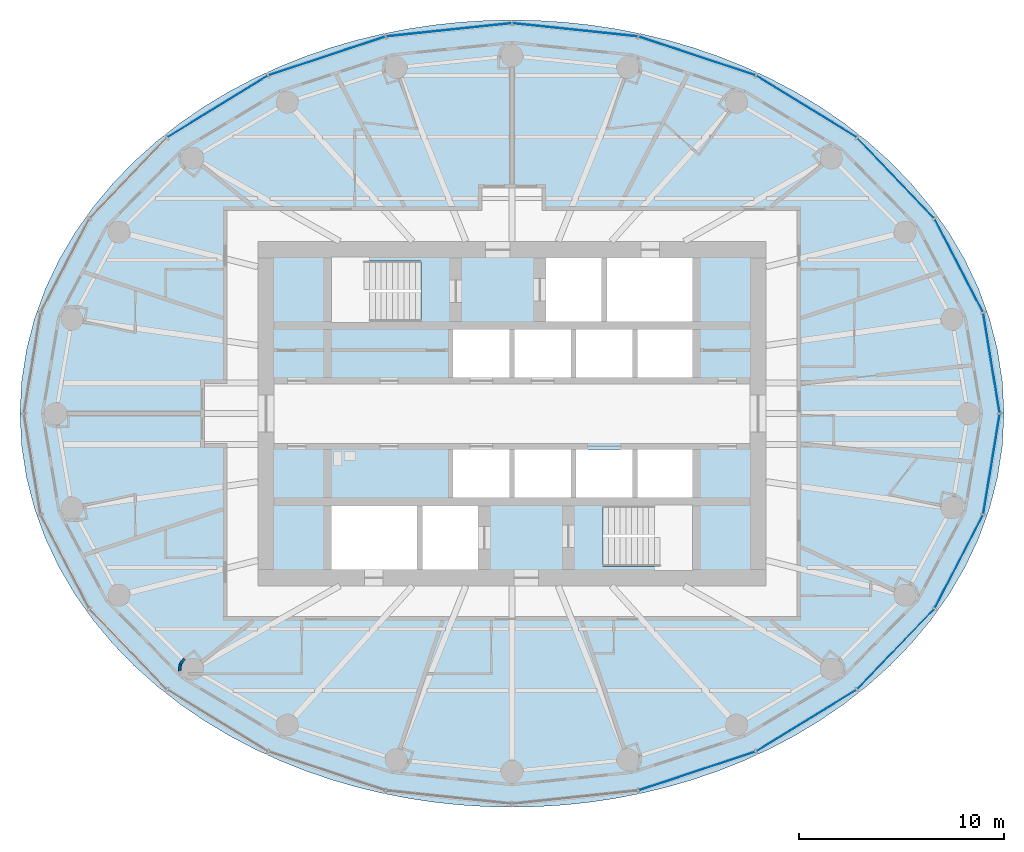
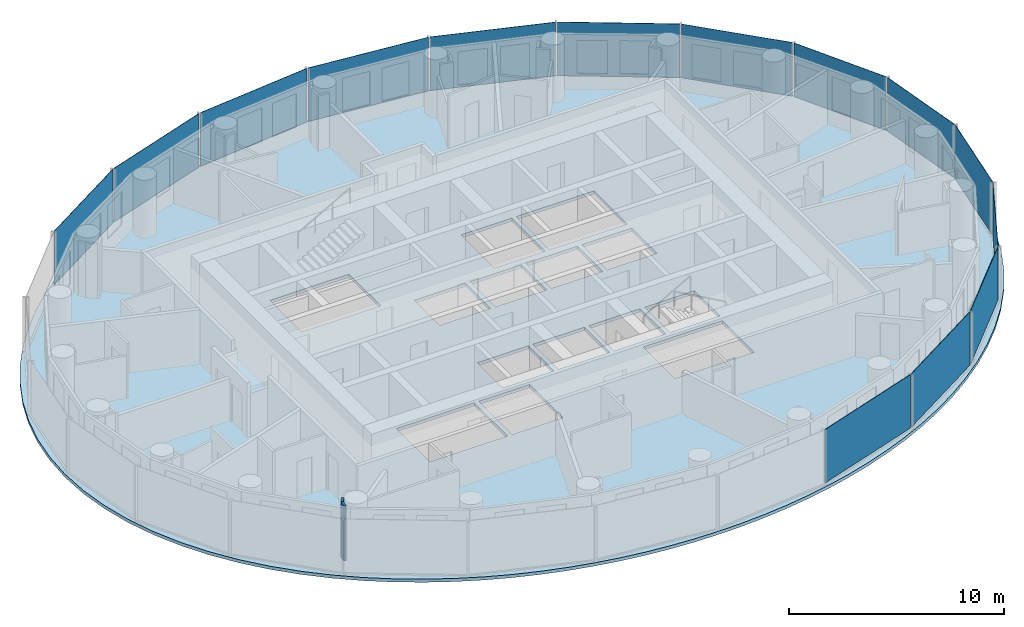
# One storey, part 5 of 16: 14 plates, 2 walls, 1 slab, 3 elements without a shape of their own.
"""IFC4 building model written with IfcOpenShell, lengths in metres."""

from ifc_helpers import new_model, si_unit, direction, frame, frame_2d, origin, origin_2d, place, context, subcontext, project, spatial, polyline, rectangle, outline, extrude, material, layer, layer_set, type_object, element, aggregate, save


model = new_model("IFC4")

# Units and contexts
model_context = context("Model", 3, precision=1e-05, world=origin(), true_north=direction((0.0, 1.0)))
body_context = subcontext(model_context, "Body", "Model", "MODEL_VIEW")
ifc_project = project(units=[si_unit("LENGTHUNIT", "METRE"), si_unit("AREAUNIT", "SQUARE_METRE"), si_unit("VOLUMEUNIT", "CUBIC_METRE"), si_unit("PLANEANGLEUNIT", "RADIAN"), si_unit("MASSUNIT", "GRAM", prefix="KILO")], contexts=[model_context])

# Site, building, storey
site_placement = place(None, origin())
site = spatial("IfcSite", under=ifc_project, at=site_placement, CompositionType="ELEMENT")
building_placement = place(site_placement, origin())
building = spatial("IfcBuilding", under=site, at=building_placement, Name="Hankou Lantern Tower", CompositionType="ELEMENT")
storey_placement = place(building_placement, frame((0.0, 0.0, 173.10009765625)))
storey = spatial("IfcBuildingStorey", under=building, at=storey_placement, Name="L46", CompositionType="ELEMENT", Elevation=173.10009765625)

# Curtain wall, plates
ifc_material_1 = material(Name="Glass, dark grey tinted laminated", Category="glass")
curtain_wall_type = type_object("IfcCurtainWallType", Name="CWC OUTER SKIN HIGH-RISE", PredefinedType="USERDEFINED", material=ifc_material_1)
curtain_wall_1_placement = place(storey_placement, origin())
curtain_wall_1 = element("IfcCurtainWall", 1, at=curtain_wall_1_placement, inside=storey, type_object=curtain_wall_type, Name="CWC L46 OS1", ObjectType="OUTER SKIN HIGH-RISE", PredefinedType="USERDEFINED")
ifc_material_2 = material(Name="Glass, dark grey tinted laminated", Category="glass")
ifc_layer_1 = layer(ifc_material_2, 0.02392578125)
ifc_layer_set_1 = layer_set([ifc_layer_1], Name="Glass, dark grey tinted laminated")
plate_type = type_object("IfcPlateType", Name="PN1 OUTER SKIN GLASS PANEL", PredefinedType="CURTAIN_PANEL", material=ifc_layer_set_1)
plate_1_placement = place(storey_placement, frame((23.39453125, 2.4638671875, 0.079833984375), z_axis=(0.0, 0.0, 1.0), x_axis=(-0.162381515188, 0.986728049427, 0.0)))
plate_1 = element("IfcPlate", 2, at=plate_1_placement, type_object=plate_type, Name="CWC glass panel 1", PredefinedType="CURTAIN_PANEL", context=body_context, shape_type="SweptSolid", body=[
    extrude(rectangle(XDim=4.914306640625, YDim=0.02392578125, at=origin_2d()), origin(), (0.0, 0.0, 1.0), 3.0400390625),
])
plate_2_placement = place(storey_placement, frame((21.80029296875, 7.223876953125, 0.079833984375), z_axis=(0.0, 0.0, 1.0), x_axis=(-0.459791091957, 0.888027112062, 0.0)))
plate_2 = element("IfcPlate", 3, at=plate_2_placement, type_object=plate_type, Name="CWC glass panel 2", PredefinedType="CURTAIN_PANEL", context=body_context, shape_type="SweptSolid", body=[
    extrude(rectangle(XDim=5.091064453125, YDim=0.02392578125, at=origin_2d()), origin(), (0.0, 0.0, 1.0), 3.0400390625),
])
plate_3_placement = place(storey_placement, frame((18.72021484375, 11.49169921875, 0.079833984375), z_axis=(0.0, 0.0, 1.0), x_axis=(-0.692215809936, 0.721690565599, 0.0)))
plate_3 = element("IfcPlate", 4, at=plate_3_placement, type_object=plate_type, Name="CWC glass panel 3", PredefinedType="CURTAIN_PANEL", context=body_context, shape_type="SweptSolid", body=[
    extrude(rectangle(XDim=5.384033203125, YDim=0.02392578125, at=origin_2d()), origin(), (0.0, 0.0, 1.0), 3.0400390625),
])
plate_4_placement = place(storey_placement, frame((14.364501953125, 14.976318359375, 0.079833984375), z_axis=(0.0, 0.0, 1.0), x_axis=(-0.852237151549, 0.523155653242, 0.0)))
plate_4 = element("IfcPlate", 5, at=plate_4_placement, type_object=plate_type, Name="CWC glass panel 4", PredefinedType="CURTAIN_PANEL", context=body_context, shape_type="SweptSolid", body=[
    extrude(rectangle(XDim=5.703857421875, YDim=0.02392578125, at=origin_2d()), origin(), (0.0, 0.0, 1.0), 3.0400390625),
])
plate_5_placement = place(storey_placement, frame((9.030029296875, 17.440185546875, 0.079833984375), z_axis=(0.0, 0.0, 1.0), x_axis=(-0.949240677293, 0.31455068999, 0.0)))
plate_5 = element("IfcPlate", 6, at=plate_5_placement, type_object=plate_type, Name="CWC glass panel 5", PredefinedType="CURTAIN_PANEL", context=body_context, shape_type="SweptSolid", body=[
    extrude(rectangle(XDim=5.967041015625, YDim=0.02392578125, at=origin_2d()), origin(), (0.0, 0.0, 1.0), 3.0400390625),
])
plate_6_placement = place(storey_placement, frame((3.079833984375, 18.715576171875, 0.079833984375), z_axis=(0.0, 0.0, 1.0), x_axis=(-0.994499359107, 0.104742659579, 0.0)))
plate_6 = element("IfcPlate", 7, at=plate_6_placement, type_object=plate_type, Name="CWC glass panel 6", PredefinedType="CURTAIN_PANEL", context=body_context, shape_type="SweptSolid", body=[
    extrude(rectangle(XDim=6.114013671875, YDim=0.02392578125, at=origin_2d()), origin(), (0.0, 0.0, 1.0), 3.0400390625),
])
aggregate(curtain_wall_1, [plate_1, plate_2, plate_3, plate_4, plate_5, plate_6])

curtain_wall_2_placement = place(storey_placement, origin())
curtain_wall_2 = element("IfcCurtainWall", 8, at=curtain_wall_2_placement, inside=storey, type_object=curtain_wall_type, Name="CWC L46 OS2", ObjectType="OUTER SKIN HIGH-RISE", PredefinedType="USERDEFINED")
plate_7_placement = place(storey_placement, frame((-3.079833984375, 18.715576171875, 0.079833984375), z_axis=(0.0, 0.0, 1.0), x_axis=(-0.994499359107, -0.104742659579, 0.0)))
plate_7 = element("IfcPlate", 9, at=plate_7_placement, type_object=plate_type, Name="CWC glass panel 1", PredefinedType="CURTAIN_PANEL", context=body_context, shape_type="SweptSolid", body=[
    extrude(rectangle(XDim=6.114013671875, YDim=0.02392578125, at=origin_2d()), origin(), (0.0, 0.0, 1.0), 3.0400390625),
])
plate_8_placement = place(storey_placement, frame((-9.030029296875, 17.440185546875, 0.079833984375), z_axis=(0.0, 0.0, 1.0), x_axis=(-0.949240677293, -0.31455068999, 0.0)))
plate_8 = element("IfcPlate", 10, at=plate_8_placement, type_object=plate_type, Name="CWC glass panel 2", PredefinedType="CURTAIN_PANEL", context=body_context, shape_type="SweptSolid", body=[
    extrude(rectangle(XDim=5.967041015625, YDim=0.02392578125, at=origin_2d()), origin(), (0.0, 0.0, 1.0), 3.0400390625),
])
plate_9_placement = place(storey_placement, frame((-14.364501953125, 14.976318359375, 0.079833984375), z_axis=(0.0, 0.0, 1.0), x_axis=(-0.852237151549, -0.523155653242, 0.0)))
plate_9 = element("IfcPlate", 11, at=plate_9_placement, type_object=plate_type, Name="CWC glass panel 3", PredefinedType="CURTAIN_PANEL", context=body_context, shape_type="SweptSolid", body=[
    extrude(rectangle(XDim=5.703857421875, YDim=0.02392578125, at=origin_2d()), origin(), (0.0, 0.0, 1.0), 3.0400390625),
])
aggregate(curtain_wall_2, [plate_7, plate_8, plate_9])

curtain_wall_3_placement = place(storey_placement, origin())
curtain_wall_3 = element("IfcCurtainWall", 12, at=curtain_wall_3_placement, inside=storey, type_object=curtain_wall_type, Name="CWC L46 OS4", ObjectType="OUTER SKIN HIGH-RISE", PredefinedType="USERDEFINED")
plate_10_placement = place(storey_placement, frame((9.030029296875, -17.440185546875, 0.079833984375), z_axis=(0.0, 0.0, 1.0), x_axis=(0.949240677293, 0.31455068999, 0.0)))
plate_10 = element("IfcPlate", 13, at=plate_10_placement, type_object=plate_type, Name="CWC glass panel 2", PredefinedType="CURTAIN_PANEL", context=body_context, shape_type="SweptSolid", body=[
    extrude(rectangle(XDim=5.967041015625, YDim=0.02392578125, at=origin_2d()), origin(), (0.0, 0.0, 1.0), 3.0400390625),
])
plate_11_placement = place(storey_placement, frame((14.364501953125, -14.976318359375, 0.079833984375), z_axis=(0.0, 0.0, 1.0), x_axis=(0.852237151549, 0.523155653242, 0.0)))
plate_11 = element("IfcPlate", 14, at=plate_11_placement, type_object=plate_type, Name="CWC glass panel 3", PredefinedType="CURTAIN_PANEL", context=body_context, shape_type="SweptSolid", body=[
    extrude(rectangle(XDim=5.703857421875, YDim=0.02392578125, at=origin_2d()), origin(), (0.0, 0.0, 1.0), 3.0400390625),
])
plate_12_placement = place(storey_placement, frame((18.72021484375, -11.49169921875, 0.079833984375), z_axis=(0.0, 0.0, 1.0), x_axis=(0.692215809936, 0.721690565599, 0.0)))
plate_12 = element("IfcPlate", 15, at=plate_12_placement, type_object=plate_type, Name="CWC glass panel 4", PredefinedType="CURTAIN_PANEL", context=body_context, shape_type="SweptSolid", body=[
    extrude(rectangle(XDim=5.384033203125, YDim=0.02392578125, at=origin_2d()), origin(), (0.0, 0.0, 1.0), 3.0400390625),
])
plate_13_placement = place(storey_placement, frame((21.80029296875, -7.223876953125, 0.079833984375), z_axis=(0.0, 0.0, 1.0), x_axis=(0.459791091957, 0.888027112062, 0.0)))
plate_13 = element("IfcPlate", 16, at=plate_13_placement, type_object=plate_type, Name="CWC glass panel 5", PredefinedType="CURTAIN_PANEL", context=body_context, shape_type="SweptSolid", body=[
    extrude(rectangle(XDim=5.091064453125, YDim=0.02392578125, at=origin_2d()), origin(), (0.0, 0.0, 1.0), 3.0400390625),
])
plate_14_placement = place(storey_placement, frame((23.39453125, -2.4638671875, 0.079833984375), z_axis=(0.0, 0.0, 1.0), x_axis=(0.162381515188, 0.986728049427, 0.0)))
plate_14 = element("IfcPlate", 17, at=plate_14_placement, type_object=plate_type, Name="CWC glass panel 6", PredefinedType="CURTAIN_PANEL", context=body_context, shape_type="SweptSolid", body=[
    extrude(rectangle(XDim=4.914306640625, YDim=0.02392578125, at=origin_2d()), origin(), (0.0, 0.0, 1.0), 3.0400390625),
])
aggregate(curtain_wall_3, [plate_10, plate_11, plate_12, plate_13, plate_14])

# Slab
ifc_material_3 = material(Name="Concrete C50", Category="concrete")
ifc_layer_2 = layer(ifc_material_3, 0.179931640625)
ifc_layer_set_2 = layer_set([ifc_layer_2], Name="Concrete C50")
slab_type = type_object("IfcSlabType", Name="S1 CONCRETE FLOOR SLAB 180", PredefinedType="FLOOR", material=ifc_layer_set_2)
slab_placement = place(storey_placement, frame((0.0, 0.0, -0.18017578125)))
element("IfcSlab", 18, at=slab_placement, inside=storey, type_object=slab_type, Name="Floor slab L46", PredefinedType="FLOOR", context=body_context, shape_type="SweptSolid", body=[
    extrude(outline(polyline([(24.0, 0.0), (23.919921875, 1.56787109375), (23.681396484375, 3.11767578125), (23.290771484375, 4.6328125), (22.75732421875, 6.097900390625), (22.09326171875, 7.499755859375), (21.312744140625, 8.827880859375), (20.43017578125, 10.0751953125), (19.461181640625, 11.23583984375), (18.420166015625, 12.307861328125), (17.320556640625, 13.29052734375), (16.174560546875, 14.184814453125), (14.99267578125, 14.99267578125), (13.783935546875, 15.717529296875), (12.5556640625, 16.363037109375), (11.31396484375, 16.9326171875), (10.0634765625, 17.4306640625), (8.8076171875, 17.8603515625), (7.54931640625, 18.225341796875), (6.289794921875, 18.52880859375), (5.0302734375, 18.7734375), (3.771728515625, 18.96142578125), (2.513916015625, 19.094482421875), (1.256591796875, 19.173583984375), (0.0, 19.199951171875), (-1.256591796875, 19.173583984375), (-2.513916015625, 19.094482421875), (-3.771728515625, 18.96142578125), (-5.0302734375, 18.7734375), (-6.289794921875, 18.52880859375), (-7.54931640625, 18.225341796875), (-8.8076171875, 17.8603515625), (-10.0634765625, 17.4306640625), (-11.31396484375, 16.9326171875), (-12.5556640625, 16.363037109375), (-13.783935546875, 15.717529296875), (-14.99267578125, 14.99267578125), (-16.174560546875, 14.184814453125), (-17.320556640625, 13.29052734375), (-18.420166015625, 12.307861328125), (-19.461181640625, 11.23583984375), (-20.43017578125, 10.0751953125), (-21.312744140625, 8.827880859375), (-22.09326171875, 7.499755859375), (-22.75732421875, 6.097900390625), (-23.290771484375, 4.6328125), (-23.681396484375, 3.11767578125), (-23.919921875, 1.56787109375), (-24.0, 0.0), (-23.919921875, -1.56787109375), (-23.681396484375, -3.11767578125), (-23.290771484375, -4.6328125), (-22.75732421875, -6.097900390625), (-22.09326171875, -7.499755859375), (-21.312744140625, -8.827880859375), (-20.43017578125, -10.0751953125), (-19.461181640625, -11.23583984375), (-18.420166015625, -12.307861328125), (-17.320556640625, -13.29052734375), (-16.174560546875, -14.184814453125), (-14.99267578125, -14.99267578125), (-13.783935546875, -15.717529296875), (-12.5556640625, -16.363037109375), (-11.31396484375, -16.9326171875), (-10.0634765625, -17.4306640625), (-8.8076171875, -17.8603515625), (-7.54931640625, -18.225341796875), (-6.289794921875, -18.52880859375), (-5.0302734375, -18.7734375), (-3.771728515625, -18.96142578125), (-2.513916015625, -19.094482421875), (-1.256591796875, -19.173583984375), (0.0, -19.199951171875), (1.256591796875, -19.173583984375), (2.513916015625, -19.094482421875), (3.771728515625, -18.96142578125), (5.0302734375, -18.7734375), (6.289794921875, -18.52880859375), (7.54931640625, -18.225341796875), (8.8076171875, -17.8603515625), (10.0634765625, -17.4306640625), (11.31396484375, -16.9326171875), (12.5556640625, -16.363037109375), (13.783935546875, -15.717529296875), (14.99267578125, -14.99267578125), (16.174560546875, -14.184814453125), (17.320556640625, -13.29052734375), (18.420166015625, -12.307861328125), (19.461181640625, -11.23583984375), (20.43017578125, -10.0751953125), (21.312744140625, -8.827880859375), (22.09326171875, -7.499755859375), (22.75732421875, -6.097900390625), (23.290771484375, -4.6328125), (23.681396484375, -3.11767578125), (23.919921875, -1.56787109375), (24.0, 0.0)]), holes=[polyline([(-2.875, 4.10009765625), (-0.125, 4.10009765625), (-0.125, 1.75), (-2.875, 1.75), (-2.875, 4.10009765625)]), polyline([(0.125, 4.10009765625), (2.875, 4.10009765625), (2.875, 1.75), (0.125, 1.75), (0.125, 4.10009765625)]), polyline([(3.125, 4.10009765625), (5.875, 4.10009765625), (5.875, 1.75), (3.125, 1.75), (3.125, 4.10009765625)]), polyline([(6.125, 4.10009765625), (8.800048828125, 4.10009765625), (8.800048828125, 1.75), (6.125, 1.75), (6.125, 4.10009765625)]), polyline([(-2.875, -1.75), (-0.125, -1.75), (-0.125, -4.10009765625), (-2.875, -4.10009765625), (-2.875, -1.75)]), polyline([(0.125, -1.75), (2.875, -1.75), (2.875, -4.10009765625), (0.125, -4.10009765625), (0.125, -1.75)]), polyline([(3.125, -1.75), (5.875, -1.75), (5.875, -4.10009765625), (3.125, -4.10009765625), (3.125, -1.75)]), polyline([(6.125, -1.75), (8.800048828125, -1.75), (8.800048828125, -4.10009765625), (6.125, -4.10009765625), (6.125, -1.75)]), polyline([(1.64990234375, 7.60009765625), (4.375, 7.60009765625), (4.375, 4.5), (1.64990234375, 4.5), (1.64990234375, 7.60009765625)]), polyline([(-4.375, -4.5), (-1.64990234375, -4.5), (-1.64990234375, -7.60009765625), (-4.375, -7.60009765625), (-4.375, -4.5)]), polyline([(-8.699951171875, 7.449951171875), (-4.449951171875, 7.449951171875), (-4.449951171875, 4.5), (-8.699951171875, 4.5), (-8.699951171875, 7.449951171875)]), polyline([(4.449951171875, -4.5), (8.699951171875, -4.5), (8.699951171875, -7.449951171875), (4.449951171875, -7.449951171875), (4.449951171875, -4.5)]), polyline([(4.625, 7.60009765625), (8.800048828125, 7.60009765625), (8.800048828125, 4.5), (4.625, 4.5), (4.625, 7.60009765625)]), polyline([(-8.800048828125, -4.5), (-4.625, -4.5), (-4.625, -7.60009765625), (-8.800048828125, -7.60009765625), (-8.800048828125, -4.5)])]), origin(), (0.0, 0.0, 1.0), 0.18017578125),
])

# Walls
ifc_material_4 = material(Name="Masonry lightweight concrete block", Category="masonry")
ifc_layer_3 = layer(ifc_material_4, 0.1201171875)
ifc_layer_set_3 = layer_set([ifc_layer_3], Name="Masonry lightweight concrete block")
wall_type = type_object("IfcWallType", Name="IW4 PARTITION 120", PredefinedType="PARTITIONING", material=ifc_layer_set_3)
wall_1_placement = place(storey_placement, frame((-15.983642578125, -11.95166015625, 0.0), z_axis=(0.0, 0.0, 1.0), x_axis=(-0.592335221171, -0.805691619517, 0.0)))
element("IfcWall", 19, at=wall_1_placement, inside=storey, type_object=wall_type, Name="Column casing R16", PredefinedType="PARTITIONING", context=body_context, shape_type="SweptSolid", body=[
    extrude(rectangle(XDim=0.337646484375, YDim=0.1201171875, at=frame_2d((0.1689453125, 0.0))), origin(), (0.0, 0.0, 1.0), 3.119873046875),
])
wall_2_placement = place(storey_placement, frame((-16.18359375, -12.2236328125, 0.0), z_axis=(0.0, 0.0, 1.0), x_axis=(-0.110669692975, -0.993857242795, 0.0)))
element("IfcWall", 20, at=wall_2_placement, inside=storey, type_object=wall_type, Name="Column casing R16", PredefinedType="PARTITIONING", context=body_context, shape_type="SweptSolid", body=[
    extrude(rectangle(XDim=0.33740234375, YDim=0.1201171875, at=frame_2d((0.168701171875, 0.0))), origin(), (0.0, 0.0, 1.0), 3.119873046875),
])

save(model, "model.ifc")
